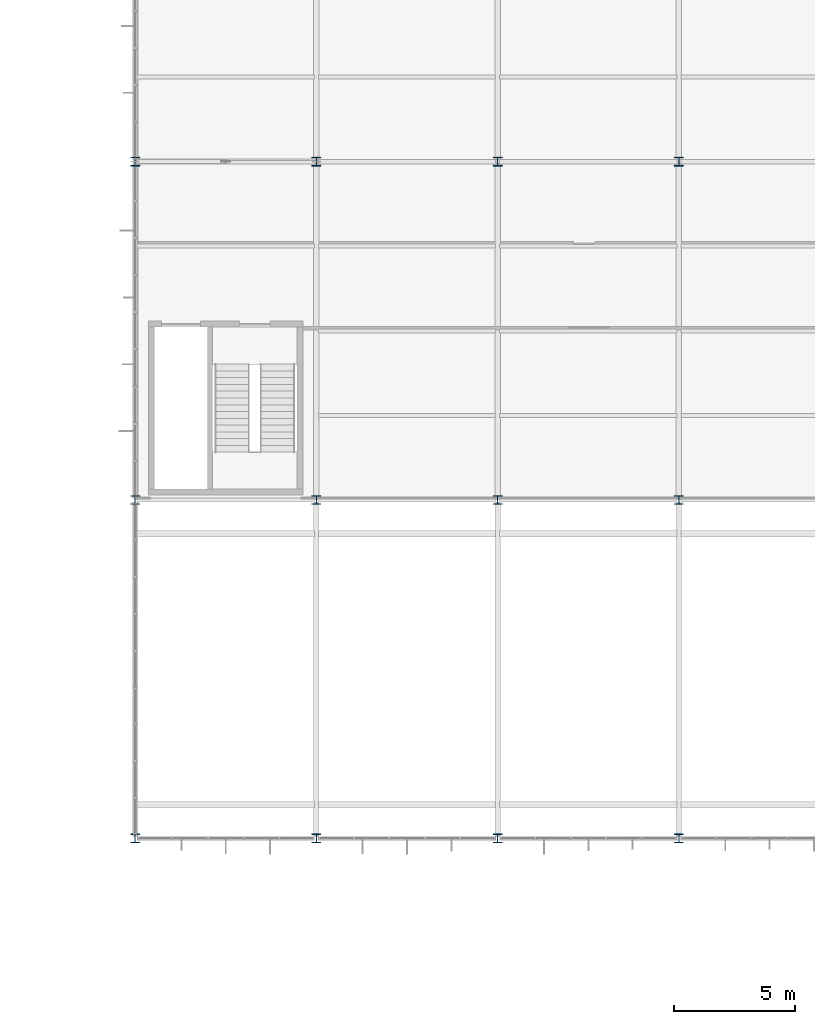
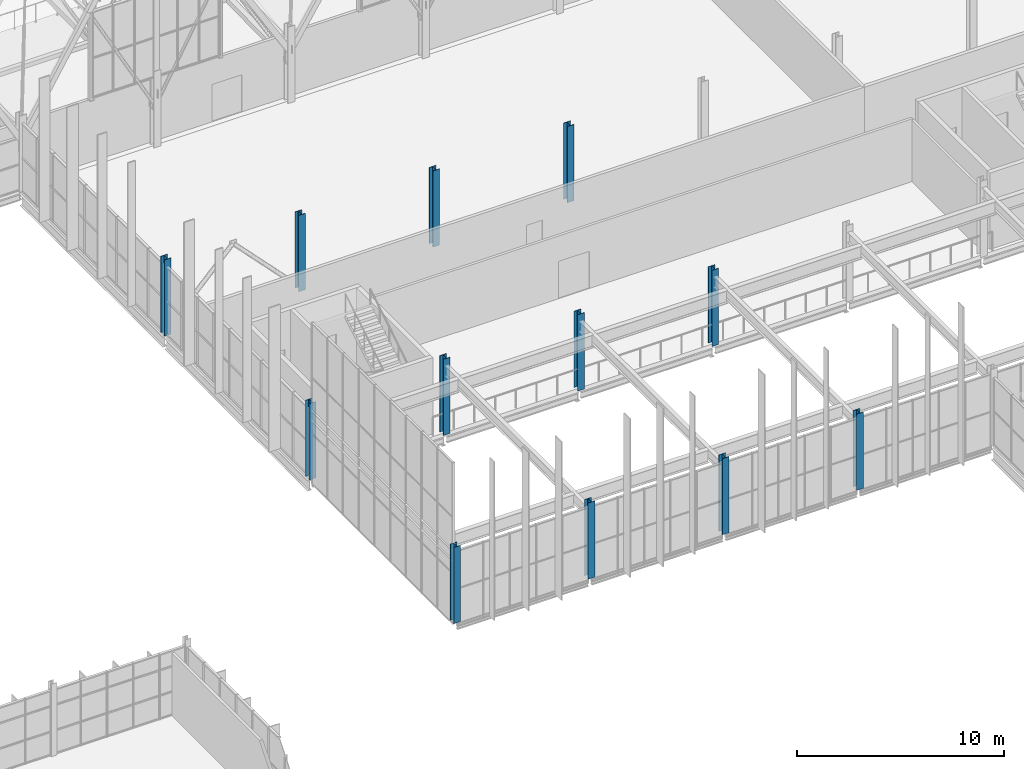
# One storey, part 6 of 324: 12 columns.
"""IFC4 building model written with IfcOpenShell, lengths in metres."""

from ifc_helpers import new_model, si_unit, direction, frame, origin, origin_2d, place, context, subcontext, project, spatial, i_section, extrude, material, material_profile, profile_set, type_object, element, save


model = new_model("IFC4")

# Units and contexts
model_context = context("Model", 3, precision=1e-05, world=origin(), true_north=direction((0.0, 1.0)))
body_context = subcontext(model_context, "Body", "Model", "MODEL_VIEW")
ifc_project = project(units=[si_unit("LENGTHUNIT", "METRE"), si_unit("AREAUNIT", "SQUARE_METRE"), si_unit("VOLUMEUNIT", "CUBIC_METRE"), si_unit("PLANEANGLEUNIT", "RADIAN"), si_unit("MASSUNIT", "GRAM", prefix="KILO")], contexts=[model_context])

# Site, building, storey
site_placement = place(None, origin())
site = spatial("IfcSite", under=ifc_project, at=site_placement, CompositionType="ELEMENT")
building_placement = place(site_placement, origin())
building = spatial("IfcBuilding", under=site, at=building_placement, Name="Solvenia Promenade Tram Depot", CompositionType="ELEMENT")
storey_placement = place(building_placement, frame((0.0, 0.0, 4.5)))
storey = spatial("IfcBuildingStorey", under=building, at=storey_placement, Name="L01", CompositionType="ELEMENT", Elevation=4.5)

# Columns
ifc_material = material(Name="Structural steel ASTM A992 Gr. 50", Category="steel")
ifc_material_profile = material_profile(ifc_material, i_section(OverallWidth=0.373046875, OverallDepth=0.367919921875, WebThickness=0.014892578125, FlangeThickness=0.02392578125, FilletRadius=0.014892578125, at=origin_2d()), Name="W360x179", Category="steel")
ifc_profile_set = profile_set([ifc_material_profile], Name="Structural steel ASTM A992 Gr. 50")
column_type = type_object("IfcColumnType", Name="Col-W360x179", PredefinedType="COLUMN", material=ifc_profile_set)
for number, where, z_axis, x_axis, name in (
    (1, (105.0, 24.0, 0.0), (0.0, 0.0, 1.0), (1.0, 0.0, 0.0), "Steel Column COL-L01-197"),
    (2, (105.0, 38.0, 0.0), (0.0, 0.0, 1.0), (1.0, 0.0, 0.0), "Steel Column COL-L01-200"),
    (3, (105.0, 52.0, 0.0), (0.0, 0.0, 1.0), (1.0, 0.0, 0.0), "Steel Column COL-L01-203"),
    (4, (112.5, 24.0, 0.0), (0.0, 0.0, 1.0), (1.0, 0.0, 0.0), "Steel Column COL-L01-212"),
    (5, (112.5, 38.0, 0.0), (0.0, 0.0, 1.0), (1.0, 0.0, 0.0), "Steel Column COL-L01-215"),
    (6, (112.5, 52.0, 0.0), (0.0, 0.0, 1.0), (1.0, 0.0, 0.0), "Steel Column COL-L01-218"),
    (7, (120.0, 24.0, 0.0), (0.0, 0.0, 1.0), (1.0, 0.0, 0.0), "Steel Column COL-L01-227"),
    (8, (120.0, 38.0, 0.0), (0.0, 0.0, 1.0), (1.0, 0.0, 0.0), "Steel Column COL-L01-230"),
    (9, (120.0, 52.0, 0.0), (0.0, 0.0, 1.0), (1.0, 0.0, 0.0), "Steel Column COL-L01-234"),
    (10, (127.5, 24.0, 0.0), (0.0, 0.0, 1.0), (1.0, 0.0, 0.0), "Steel Column COL-L01-245"),
    (11, (127.5, 38.0, 0.0), (0.0, 0.0, 1.0), (1.0, 0.0, 0.0), "Steel Column COL-L01-248"),
    (12, (127.5, 52.0, 0.0), (0.0, 0.0, 1.0), (1.0, 0.0, 0.0), "Steel Column COL-L01-252"),
):
    element("IfcColumn", number, at=place(storey_placement, frame(where, z_axis=z_axis, x_axis=x_axis)), inside=storey, type_object=column_type, Name=name, PredefinedType="COLUMN", context=body_context, shape_type="SweptSolid", body=[
        extrude(i_section(OverallWidth=0.373046875, OverallDepth=0.367919921875, WebThickness=0.014892578125, FlangeThickness=0.02392578125, FilletRadius=0.014892578125, at=origin_2d()), origin(), (0.0, 0.0, 1.0), 4.5),
    ])

save(model, "model.ifc")
